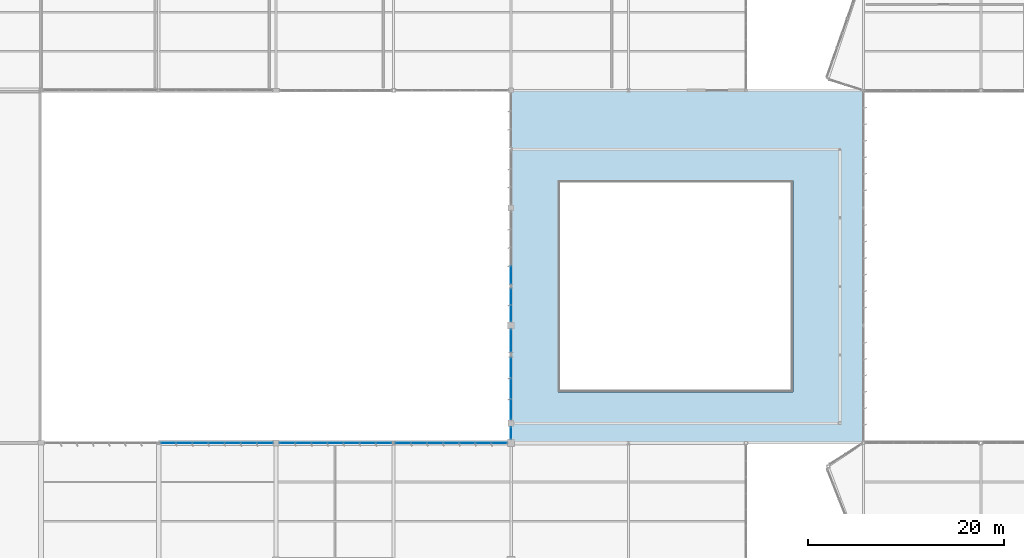
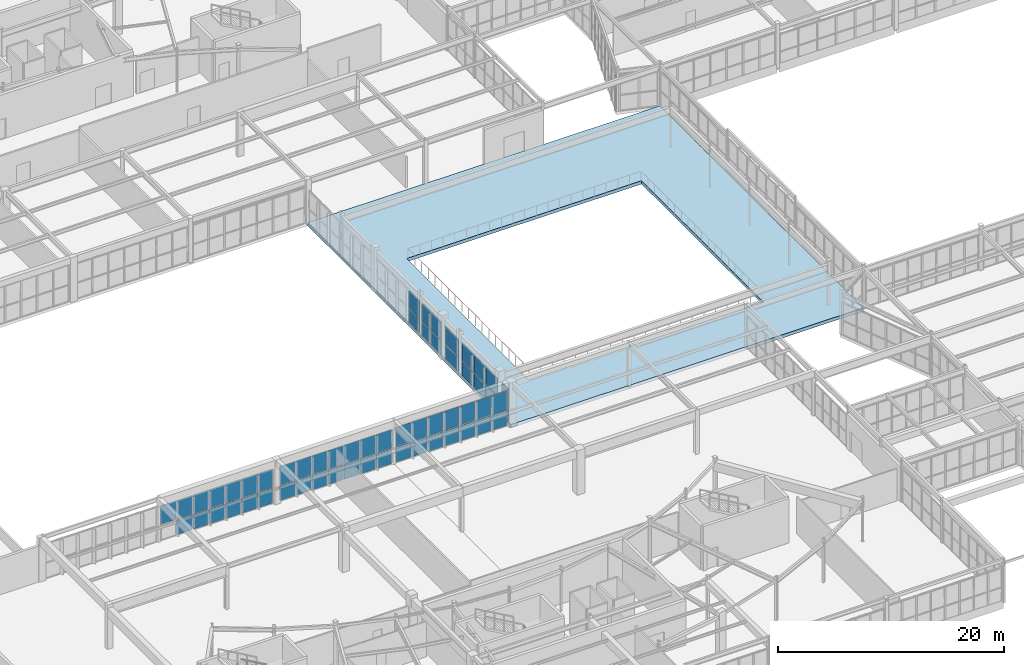
# One storey, part 115 of 186: 57 plates, 1 slab, 8 elements without a shape of their own.
"""IFC4 building model written with IfcOpenShell, lengths in metres."""

from ifc_helpers import new_model, si_unit, direction, frame, origin, origin_2d, place, context, subcontext, project, spatial, polyline, rectangle, outline, extrude, material, layer, layer_set, type_object, element, aggregate, save


model = new_model("IFC4")

# Units and contexts
model_context = context("Model", 3, precision=1e-05, world=origin(), true_north=direction((0.0, 1.0)))
body_context = subcontext(model_context, "Body", "Model", "MODEL_VIEW")
ifc_project = project(units=[si_unit("LENGTHUNIT", "METRE"), si_unit("AREAUNIT", "SQUARE_METRE"), si_unit("VOLUMEUNIT", "CUBIC_METRE"), si_unit("PLANEANGLEUNIT", "RADIAN"), si_unit("MASSUNIT", "GRAM", prefix="KILO")], contexts=[model_context])

# Site, building, storey
site_placement = place(None, origin())
site = spatial("IfcSite", under=ifc_project, at=site_placement, CompositionType="ELEMENT")
building_placement = place(site_placement, origin())
building = spatial("IfcBuilding", under=site, at=building_placement, Name="Tarnwether General Hospital", CompositionType="ELEMENT")
storey_placement = place(building_placement, frame((0.0, 0.0, 9.60009765625)))
storey = spatial("IfcBuildingStorey", under=building, at=storey_placement, Name="L02", CompositionType="ELEMENT", Elevation=9.60009765625)

# Curtain wall, plates
ifc_material_1 = material(Name="Anodised aluminium", Category="aluminium")
ifc_layer_1 = layer(ifc_material_1, 0.179931640625)
ifc_layer_set_1 = layer_set([ifc_layer_1], Name="Anodised aluminium")
curtain_wall_type_1 = type_object("IfcCurtainWallType", Name="CW-07", PredefinedType="NOTDEFINED", material=ifc_layer_set_1)
curtain_wall_1_placement = place(storey_placement, origin())
curtain_wall_1 = element("IfcCurtainWall", 1, at=curtain_wall_1_placement, inside=storey, type_object=curtain_wall_type_1, Name="Curtain Wall CWG-L02-1080_460-0419", PredefinedType="NOTDEFINED")
ifc_material_2 = material(Name="Double glazed low-E glass", Category="glass")
ifc_layer_2 = layer(ifc_material_2, 0.028076171875)
ifc_layer_set_2 = layer_set([ifc_layer_2], Name="Double glazed low-E glass")
plate_type = type_object("IfcPlateType", Name="PT-CWP1", PredefinedType="CURTAIN_PANEL", material=ifc_layer_set_2)
plate_1_placement = place(storey_placement, frame((108.0, 46.625, 0.06005859375), z_axis=(0.0, 0.0, 1.0), x_axis=(0.0, 1.0, 0.0)))
plate_1 = element("IfcPlate", 2, at=plate_1_placement, type_object=plate_type, Name="CW-07 panel 1.1", PredefinedType="CURTAIN_PANEL", context=body_context, shape_type="SweptSolid", body=[
    extrude(rectangle(XDim=1.1640625, YDim=0.028076171875, at=origin_2d()), origin(), (0.0, 0.0, 1.0), 1.53662109375),
])
plate_2_placement = place(storey_placement, frame((108.0, 46.625, 1.65673828125), z_axis=(0.0, 0.0, 1.0), x_axis=(0.0, 1.0, 0.0)))
plate_2 = element("IfcPlate", 3, at=plate_2_placement, type_object=plate_type, Name="CW-07 panel 1.2", PredefinedType="CURTAIN_PANEL", context=body_context, shape_type="SweptSolid", body=[
    extrude(rectangle(XDim=1.1640625, YDim=0.028076171875, at=origin_2d()), origin(), (0.0, 0.0, 1.0), 1.898193359375),
])
aggregate(curtain_wall_1, [plate_1, plate_2])

curtain_wall_2_placement = place(storey_placement, origin())
curtain_wall_2 = element("IfcCurtainWall", 4, at=curtain_wall_2_placement, inside=storey, type_object=curtain_wall_type_1, Name="Curtain Wall CWG-L02-1080_479-0420", PredefinedType="NOTDEFINED")
plate_3_placement = place(storey_placement, frame((108.0, 49.01611328125, 0.06005859375), z_axis=(0.0, 0.0, 1.0), x_axis=(0.0, 1.0, 0.0)))
plate_3 = element("IfcPlate", 5, at=plate_3_placement, type_object=plate_type, Name="CW-07 panel 1.1", PredefinedType="CURTAIN_PANEL", context=body_context, shape_type="SweptSolid", body=[
    extrude(rectangle(XDim=2.04638671875, YDim=0.028076171875, at=origin_2d()), origin(), (0.0, 0.0, 1.0), 1.53662109375),
])
plate_4_placement = place(storey_placement, frame((108.0, 49.01611328125, 1.65673828125), z_axis=(0.0, 0.0, 1.0), x_axis=(0.0, 1.0, 0.0)))
plate_4 = element("IfcPlate", 6, at=plate_4_placement, type_object=plate_type, Name="CW-07 panel 1.2", PredefinedType="CURTAIN_PANEL", context=body_context, shape_type="SweptSolid", body=[
    extrude(rectangle(XDim=2.04638671875, YDim=0.028076171875, at=origin_2d()), origin(), (0.0, 0.0, 1.0), 1.898193359375),
])
plate_5_placement = place(storey_placement, frame((108.0, 51.137451171875, 0.06005859375), z_axis=(0.0, 0.0, 1.0), x_axis=(0.0, 1.0, 0.0)))
plate_5 = element("IfcPlate", 7, at=plate_5_placement, type_object=plate_type, Name="CW-07 panel 2.1", PredefinedType="CURTAIN_PANEL", context=body_context, shape_type="SweptSolid", body=[
    extrude(rectangle(XDim=2.076416015625, YDim=0.028076171875, at=origin_2d()), origin(), (0.0, 0.0, 1.0), 1.53662109375),
])
plate_6_placement = place(storey_placement, frame((108.0, 51.137451171875, 1.65673828125), z_axis=(0.0, 0.0, 1.0), x_axis=(0.0, 1.0, 0.0)))
plate_6 = element("IfcPlate", 8, at=plate_6_placement, type_object=plate_type, Name="CW-07 panel 2.2", PredefinedType="CURTAIN_PANEL", context=body_context, shape_type="SweptSolid", body=[
    extrude(rectangle(XDim=2.076416015625, YDim=0.028076171875, at=origin_2d()), origin(), (0.0, 0.0, 1.0), 1.898193359375),
])
plate_7_placement = place(storey_placement, frame((108.0, 53.2587890625, 0.06005859375), z_axis=(0.0, 0.0, 1.0), x_axis=(0.0, 1.0, 0.0)))
plate_7 = element("IfcPlate", 9, at=plate_7_placement, type_object=plate_type, Name="CW-07 panel 3.1", PredefinedType="CURTAIN_PANEL", context=body_context, shape_type="SweptSolid", body=[
    extrude(rectangle(XDim=2.04638671875, YDim=0.028076171875, at=origin_2d()), origin(), (0.0, 0.0, 1.0), 1.53662109375),
])
plate_8_placement = place(storey_placement, frame((108.0, 53.2587890625, 1.65673828125), z_axis=(0.0, 0.0, 1.0), x_axis=(0.0, 1.0, 0.0)))
plate_8 = element("IfcPlate", 10, at=plate_8_placement, type_object=plate_type, Name="CW-07 panel 3.2", PredefinedType="CURTAIN_PANEL", context=body_context, shape_type="SweptSolid", body=[
    extrude(rectangle(XDim=2.04638671875, YDim=0.028076171875, at=origin_2d()), origin(), (0.0, 0.0, 1.0), 1.898193359375),
])
aggregate(curtain_wall_2, [plate_3, plate_4, plate_5, plate_6, plate_7, plate_8])

curtain_wall_3_placement = place(storey_placement, origin())
curtain_wall_3 = element("IfcCurtainWall", 11, at=curtain_wall_3_placement, inside=storey, type_object=curtain_wall_type_1, Name="Curtain Wall CWG-L02-1080_549-0421", PredefinedType="NOTDEFINED")
plate_9_placement = place(storey_placement, frame((108.0, 56.050048828125, 0.06005859375), z_axis=(0.0, 0.0, 1.0), x_axis=(0.0, 1.0, 0.0)))
plate_9 = element("IfcPlate", 12, at=plate_9_placement, type_object=plate_type, Name="CW-07 panel 1.1", PredefinedType="CURTAIN_PANEL", context=body_context, shape_type="SweptSolid", body=[
    extrude(rectangle(XDim=2.263916015625, YDim=0.028076171875, at=origin_2d()), origin(), (0.0, 0.0, 1.0), 1.53662109375),
])
plate_10_placement = place(storey_placement, frame((108.0, 56.050048828125, 1.65673828125), z_axis=(0.0, 0.0, 1.0), x_axis=(0.0, 1.0, 0.0)))
plate_10 = element("IfcPlate", 13, at=plate_10_placement, type_object=plate_type, Name="CW-07 panel 1.2", PredefinedType="CURTAIN_PANEL", context=body_context, shape_type="SweptSolid", body=[
    extrude(rectangle(XDim=2.263916015625, YDim=0.028076171875, at=origin_2d()), origin(), (0.0, 0.0, 1.0), 1.898193359375),
])
aggregate(curtain_wall_3, [plate_9, plate_10])

curtain_wall_4_placement = place(storey_placement, origin())
curtain_wall_4 = element("IfcCurtainWall", 14, at=curtain_wall_4_placement, inside=storey, type_object=curtain_wall_type_1, Name="Curtain Wall CWG-L02-1080_580-0422", PredefinedType="NOTDEFINED")
plate_11_placement = place(storey_placement, frame((108.0, 58.83154296875, 0.06005859375), z_axis=(0.0, 0.0, 1.0), x_axis=(0.0, 1.0, 0.0)))
plate_11 = element("IfcPlate", 15, at=plate_11_placement, type_object=plate_type, Name="CW-07 panel 1.1", PredefinedType="CURTAIN_PANEL", context=body_context, shape_type="SweptSolid", body=[
    extrude(rectangle(XDim=1.626953125, YDim=0.028076171875, at=origin_2d()), origin(), (0.0, 0.0, 1.0), 1.53662109375),
])
plate_12_placement = place(storey_placement, frame((108.0, 58.83154296875, 1.65673828125), z_axis=(0.0, 0.0, 1.0), x_axis=(0.0, 1.0, 0.0)))
plate_12 = element("IfcPlate", 16, at=plate_12_placement, type_object=plate_type, Name="CW-07 panel 1.2", PredefinedType="CURTAIN_PANEL", context=body_context, shape_type="SweptSolid", body=[
    extrude(rectangle(XDim=1.626953125, YDim=0.028076171875, at=origin_2d()), origin(), (0.0, 0.0, 1.0), 1.898193359375),
])
plate_13_placement = place(storey_placement, frame((108.0, 60.5185546875, 0.06005859375), z_axis=(0.0, 0.0, 1.0), x_axis=(0.0, 1.0, 0.0)))
plate_13 = element("IfcPlate", 17, at=plate_13_placement, type_object=plate_type, Name="CW-07 panel 2.1", PredefinedType="CURTAIN_PANEL", context=body_context, shape_type="SweptSolid", body=[
    extrude(rectangle(XDim=1.626953125, YDim=0.028076171875, at=origin_2d()), origin(), (0.0, 0.0, 1.0), 1.53662109375),
])
plate_14_placement = place(storey_placement, frame((108.0, 60.5185546875, 1.65673828125), z_axis=(0.0, 0.0, 1.0), x_axis=(0.0, 1.0, 0.0)))
plate_14 = element("IfcPlate", 18, at=plate_14_placement, type_object=plate_type, Name="CW-07 panel 2.2", PredefinedType="CURTAIN_PANEL", context=body_context, shape_type="SweptSolid", body=[
    extrude(rectangle(XDim=1.626953125, YDim=0.028076171875, at=origin_2d()), origin(), (0.0, 0.0, 1.0), 1.898193359375),
])
aggregate(curtain_wall_4, [plate_11, plate_12, plate_13, plate_14])

curtain_wall_5_placement = place(storey_placement, origin())
curtain_wall_5 = element("IfcCurtainWall", 19, at=curtain_wall_5_placement, inside=storey, type_object=curtain_wall_type_1, Name="Curtain Wall CWG-L02-1080_618-0423", PredefinedType="NOTDEFINED")
plate_15_placement = place(storey_placement, frame((108.0, 62.758544921875, 0.06005859375), z_axis=(0.0, 0.0, 1.0), x_axis=(0.0, 1.0, 0.0)))
plate_15 = element("IfcPlate", 20, at=plate_15_placement, type_object=plate_type, Name="CW-07 panel 1.1", PredefinedType="CURTAIN_PANEL", context=body_context, shape_type="SweptSolid", body=[
    extrude(rectangle(XDim=1.781005859375, YDim=0.028076171875, at=origin_2d()), origin(), (0.0, 0.0, 1.0), 1.53662109375),
])
plate_16_placement = place(storey_placement, frame((108.0, 62.758544921875, 1.65673828125), z_axis=(0.0, 0.0, 1.0), x_axis=(0.0, 1.0, 0.0)))
plate_16 = element("IfcPlate", 21, at=plate_16_placement, type_object=plate_type, Name="CW-07 panel 1.2", PredefinedType="CURTAIN_PANEL", context=body_context, shape_type="SweptSolid", body=[
    extrude(rectangle(XDim=1.781005859375, YDim=0.028076171875, at=origin_2d()), origin(), (0.0, 0.0, 1.0), 1.898193359375),
])
aggregate(curtain_wall_5, [plate_15, plate_16])

ifc_material_3 = material(Name="Anodised aluminium", Category="aluminium")
ifc_layer_3 = layer(ifc_material_3, 0.159912109375)
ifc_layer_set_3 = layer_set([ifc_layer_3], Name="Anodised aluminium")
curtain_wall_type_2 = type_object("IfcCurtainWallType", Name="CW-24", PredefinedType="NOTDEFINED", material=ifc_layer_set_3)
curtain_wall_6_placement = place(storey_placement, origin())
curtain_wall_6 = element("IfcCurtainWall", 22, at=curtain_wall_6_placement, inside=storey, type_object=curtain_wall_type_2, Name="Curtain Wall CWG-L02-1076_456-0430", PredefinedType="NOTDEFINED")
plate_17_placement = place(storey_placement, frame((106.78369140625, 45.60009765625, 0.06005859375), z_axis=(0.0, 0.0, 1.0), x_axis=(-1.0, 0.0, 0.0)))
plate_17 = element("IfcPlate", 23, at=plate_17_placement, type_object=plate_type, Name="CW-24 panel 1.1", PredefinedType="CURTAIN_PANEL", context=body_context, shape_type="SweptSolid", body=[
    extrude(rectangle(XDim=1.54638671875, YDim=0.028076171875, at=origin_2d()), origin(), (0.0, 0.0, 1.0), 1.658203125),
])
plate_18_placement = place(storey_placement, frame((106.78369140625, 45.60009765625, 1.7783203125), z_axis=(0.0, 0.0, 1.0), x_axis=(-1.0, 0.0, 0.0)))
plate_18 = element("IfcPlate", 24, at=plate_18_placement, type_object=plate_type, Name="CW-24 panel 1.2", PredefinedType="CURTAIN_PANEL", context=body_context, shape_type="SweptSolid", body=[
    extrude(rectangle(XDim=1.54638671875, YDim=0.028076171875, at=origin_2d()), origin(), (0.0, 0.0, 1.0), 2.046630859375),
])
plate_19_placement = place(storey_placement, frame((105.162353515625, 45.60009765625, 0.06005859375), z_axis=(0.0, 0.0, 1.0), x_axis=(-1.0, 0.0, 0.0)))
plate_19 = element("IfcPlate", 25, at=plate_19_placement, type_object=plate_type, Name="CW-24 panel 2.1", PredefinedType="CURTAIN_PANEL", context=body_context, shape_type="SweptSolid", body=[
    extrude(rectangle(XDim=1.576416015625, YDim=0.028076171875, at=origin_2d()), origin(), (0.0, 0.0, 1.0), 1.658203125),
])
plate_20_placement = place(storey_placement, frame((105.162353515625, 45.60009765625, 1.7783203125), z_axis=(0.0, 0.0, 1.0), x_axis=(-1.0, 0.0, 0.0)))
plate_20 = element("IfcPlate", 26, at=plate_20_placement, type_object=plate_type, Name="CW-24 panel 2.2", PredefinedType="CURTAIN_PANEL", context=body_context, shape_type="SweptSolid", body=[
    extrude(rectangle(XDim=1.576416015625, YDim=0.028076171875, at=origin_2d()), origin(), (0.0, 0.0, 1.0), 2.046630859375),
])
plate_21_placement = place(storey_placement, frame((103.52587890625, 45.60009765625, 0.06005859375), z_axis=(0.0, 0.0, 1.0), x_axis=(-1.0, 0.0, 0.0)))
plate_21 = element("IfcPlate", 27, at=plate_21_placement, type_object=plate_type, Name="CW-24 panel 3.1", PredefinedType="CURTAIN_PANEL", context=body_context, shape_type="SweptSolid", body=[
    extrude(rectangle(XDim=1.576416015625, YDim=0.028076171875, at=origin_2d()), origin(), (0.0, 0.0, 1.0), 1.658203125),
])
plate_22_placement = place(storey_placement, frame((103.52587890625, 45.60009765625, 1.7783203125), z_axis=(0.0, 0.0, 1.0), x_axis=(-1.0, 0.0, 0.0)))
plate_22 = element("IfcPlate", 28, at=plate_22_placement, type_object=plate_type, Name="CW-24 panel 3.2", PredefinedType="CURTAIN_PANEL", context=body_context, shape_type="SweptSolid", body=[
    extrude(rectangle(XDim=1.576416015625, YDim=0.028076171875, at=origin_2d()), origin(), (0.0, 0.0, 1.0), 2.046630859375),
])
plate_23_placement = place(storey_placement, frame((101.889404296875, 45.60009765625, 0.06005859375), z_axis=(0.0, 0.0, 1.0), x_axis=(-1.0, 0.0, 0.0)))
plate_23 = element("IfcPlate", 29, at=plate_23_placement, type_object=plate_type, Name="CW-24 panel 4.1", PredefinedType="CURTAIN_PANEL", context=body_context, shape_type="SweptSolid", body=[
    extrude(rectangle(XDim=1.576416015625, YDim=0.028076171875, at=origin_2d()), origin(), (0.0, 0.0, 1.0), 1.658203125),
])
plate_24_placement = place(storey_placement, frame((101.889404296875, 45.60009765625, 1.7783203125), z_axis=(0.0, 0.0, 1.0), x_axis=(-1.0, 0.0, 0.0)))
plate_24 = element("IfcPlate", 30, at=plate_24_placement, type_object=plate_type, Name="CW-24 panel 4.2", PredefinedType="CURTAIN_PANEL", context=body_context, shape_type="SweptSolid", body=[
    extrude(rectangle(XDim=1.576416015625, YDim=0.028076171875, at=origin_2d()), origin(), (0.0, 0.0, 1.0), 2.046630859375),
])
plate_25_placement = place(storey_placement, frame((100.253173828125, 45.60009765625, 0.06005859375), z_axis=(0.0, 0.0, 1.0), x_axis=(-1.0, 0.0, 0.0)))
plate_25 = element("IfcPlate", 31, at=plate_25_placement, type_object=plate_type, Name="CW-24 panel 5.1", PredefinedType="CURTAIN_PANEL", context=body_context, shape_type="SweptSolid", body=[
    extrude(rectangle(XDim=1.576416015625, YDim=0.028076171875, at=origin_2d()), origin(), (0.0, 0.0, 1.0), 1.658203125),
])
plate_26_placement = place(storey_placement, frame((100.253173828125, 45.60009765625, 1.7783203125), z_axis=(0.0, 0.0, 1.0), x_axis=(-1.0, 0.0, 0.0)))
plate_26 = element("IfcPlate", 32, at=plate_26_placement, type_object=plate_type, Name="CW-24 panel 5.2", PredefinedType="CURTAIN_PANEL", context=body_context, shape_type="SweptSolid", body=[
    extrude(rectangle(XDim=1.576416015625, YDim=0.028076171875, at=origin_2d()), origin(), (0.0, 0.0, 1.0), 2.046630859375),
])
plate_27_placement = place(storey_placement, frame((98.61669921875, 45.60009765625, 0.06005859375), z_axis=(0.0, 0.0, 1.0), x_axis=(-1.0, 0.0, 0.0)))
plate_27 = element("IfcPlate", 33, at=plate_27_placement, type_object=plate_type, Name="CW-24 panel 6.1", PredefinedType="CURTAIN_PANEL", context=body_context, shape_type="SweptSolid", body=[
    extrude(rectangle(XDim=1.576416015625, YDim=0.028076171875, at=origin_2d()), origin(), (0.0, 0.0, 1.0), 1.658203125),
])
plate_28_placement = place(storey_placement, frame((98.61669921875, 45.60009765625, 1.7783203125), z_axis=(0.0, 0.0, 1.0), x_axis=(-1.0, 0.0, 0.0)))
plate_28 = element("IfcPlate", 34, at=plate_28_placement, type_object=plate_type, Name="CW-24 panel 6.2", PredefinedType="CURTAIN_PANEL", context=body_context, shape_type="SweptSolid", body=[
    extrude(rectangle(XDim=1.576416015625, YDim=0.028076171875, at=origin_2d()), origin(), (0.0, 0.0, 1.0), 2.046630859375),
])
plate_29_placement = place(storey_placement, frame((96.9951171875, 45.60009765625, 0.06005859375), z_axis=(0.0, 0.0, 1.0), x_axis=(-1.0, 0.0, 0.0)))
plate_29 = element("IfcPlate", 35, at=plate_29_placement, type_object=plate_type, Name="CW-24 panel 7.1", PredefinedType="CURTAIN_PANEL", context=body_context, shape_type="SweptSolid", body=[
    extrude(rectangle(XDim=1.54638671875, YDim=0.028076171875, at=origin_2d()), origin(), (0.0, 0.0, 1.0), 1.658203125),
])
plate_30_placement = place(storey_placement, frame((96.9951171875, 45.60009765625, 1.7783203125), z_axis=(0.0, 0.0, 1.0), x_axis=(-1.0, 0.0, 0.0)))
plate_30 = element("IfcPlate", 36, at=plate_30_placement, type_object=plate_type, Name="CW-24 panel 7.2", PredefinedType="CURTAIN_PANEL", context=body_context, shape_type="SweptSolid", body=[
    extrude(rectangle(XDim=1.54638671875, YDim=0.028076171875, at=origin_2d()), origin(), (0.0, 0.0, 1.0), 2.046630859375),
])
aggregate(curtain_wall_6, [plate_17, plate_18, plate_19, plate_20, plate_21, plate_22, plate_23, plate_24, plate_25, plate_26, plate_27, plate_28, plate_29, plate_30])

curtain_wall_7_placement = place(storey_placement, origin())
curtain_wall_7 = element("IfcCurtainWall", 37, at=curtain_wall_7_placement, inside=storey, type_object=curtain_wall_type_2, Name="Curtain Wall CWG-L02-958_456-0431", PredefinedType="NOTDEFINED")
plate_31_placement = place(storey_placement, frame((94.99951171875, 45.60009765625, 0.059814453125), z_axis=(0.0, 0.0, 1.0), x_axis=(-1.0, 0.0, 0.0)))
plate_31 = element("IfcPlate", 38, at=plate_31_placement, type_object=plate_type, Name="CW-24 panel 1.1", PredefinedType="CURTAIN_PANEL", context=body_context, shape_type="SweptSolid", body=[
    extrude(rectangle(XDim=1.55712890625, YDim=0.028076171875, at=origin_2d()), origin(), (0.0, 0.0, 1.0), 1.6357421875),
])
plate_32_placement = place(storey_placement, frame((94.99951171875, 45.60009765625, 1.75537109375), z_axis=(0.0, 0.0, 1.0), x_axis=(-1.0, 0.0, 0.0)))
plate_32 = element("IfcPlate", 39, at=plate_32_placement, type_object=plate_type, Name="CW-24 panel 1.2", PredefinedType="CURTAIN_PANEL", context=body_context, shape_type="SweptSolid", body=[
    extrude(rectangle(XDim=1.55712890625, YDim=0.028076171875, at=origin_2d()), origin(), (0.0, 0.0, 1.0), 2.019287109375),
])
plate_33_placement = place(storey_placement, frame((93.3671875, 45.60009765625, 0.059814453125), z_axis=(0.0, 0.0, 1.0), x_axis=(-1.0, 0.0, 0.0)))
plate_33 = element("IfcPlate", 40, at=plate_33_placement, type_object=plate_type, Name="CW-24 panel 2.1", PredefinedType="CURTAIN_PANEL", context=body_context, shape_type="SweptSolid", body=[
    extrude(rectangle(XDim=1.587158203125, YDim=0.028076171875, at=origin_2d()), origin(), (0.0, 0.0, 1.0), 1.6357421875),
])
plate_34_placement = place(storey_placement, frame((93.3671875, 45.60009765625, 1.75537109375), z_axis=(0.0, 0.0, 1.0), x_axis=(-1.0, 0.0, 0.0)))
plate_34 = element("IfcPlate", 41, at=plate_34_placement, type_object=plate_type, Name="CW-24 panel 2.2", PredefinedType="CURTAIN_PANEL", context=body_context, shape_type="SweptSolid", body=[
    extrude(rectangle(XDim=1.587158203125, YDim=0.028076171875, at=origin_2d()), origin(), (0.0, 0.0, 1.0), 2.019287109375),
])
plate_35_placement = place(storey_placement, frame((91.72021484375, 45.60009765625, 0.059814453125), z_axis=(0.0, 0.0, 1.0), x_axis=(-1.0, 0.0, 0.0)))
plate_35 = element("IfcPlate", 42, at=plate_35_placement, type_object=plate_type, Name="CW-24 panel 3.1", PredefinedType="CURTAIN_PANEL", context=body_context, shape_type="SweptSolid", body=[
    extrude(rectangle(XDim=1.587158203125, YDim=0.028076171875, at=origin_2d()), origin(), (0.0, 0.0, 1.0), 1.6357421875),
])
plate_36_placement = place(storey_placement, frame((91.72021484375, 45.60009765625, 1.75537109375), z_axis=(0.0, 0.0, 1.0), x_axis=(-1.0, 0.0, 0.0)))
plate_36 = element("IfcPlate", 43, at=plate_36_placement, type_object=plate_type, Name="CW-24 panel 3.2", PredefinedType="CURTAIN_PANEL", context=body_context, shape_type="SweptSolid", body=[
    extrude(rectangle(XDim=1.587158203125, YDim=0.028076171875, at=origin_2d()), origin(), (0.0, 0.0, 1.0), 2.019287109375),
])
plate_37_placement = place(storey_placement, frame((90.072998046875, 45.60009765625, 0.059814453125), z_axis=(0.0, 0.0, 1.0), x_axis=(-1.0, 0.0, 0.0)))
plate_37 = element("IfcPlate", 44, at=plate_37_placement, type_object=plate_type, Name="CW-24 panel 4.1", PredefinedType="CURTAIN_PANEL", context=body_context, shape_type="SweptSolid", body=[
    extrude(rectangle(XDim=1.587158203125, YDim=0.028076171875, at=origin_2d()), origin(), (0.0, 0.0, 1.0), 1.6357421875),
])
plate_38_placement = place(storey_placement, frame((90.072998046875, 45.60009765625, 1.75537109375), z_axis=(0.0, 0.0, 1.0), x_axis=(-1.0, 0.0, 0.0)))
plate_38 = element("IfcPlate", 45, at=plate_38_placement, type_object=plate_type, Name="CW-24 panel 4.2", PredefinedType="CURTAIN_PANEL", context=body_context, shape_type="SweptSolid", body=[
    extrude(rectangle(XDim=1.587158203125, YDim=0.028076171875, at=origin_2d()), origin(), (0.0, 0.0, 1.0), 2.019287109375),
])
plate_39_placement = place(storey_placement, frame((88.42578125, 45.60009765625, 0.059814453125), z_axis=(0.0, 0.0, 1.0), x_axis=(-1.0, 0.0, 0.0)))
plate_39 = element("IfcPlate", 46, at=plate_39_placement, type_object=plate_type, Name="CW-24 panel 5.1", PredefinedType="CURTAIN_PANEL", context=body_context, shape_type="SweptSolid", body=[
    extrude(rectangle(XDim=1.587158203125, YDim=0.028076171875, at=origin_2d()), origin(), (0.0, 0.0, 1.0), 1.6357421875),
])
plate_40_placement = place(storey_placement, frame((88.42578125, 45.60009765625, 1.75537109375), z_axis=(0.0, 0.0, 1.0), x_axis=(-1.0, 0.0, 0.0)))
plate_40 = element("IfcPlate", 47, at=plate_40_placement, type_object=plate_type, Name="CW-24 panel 5.2", PredefinedType="CURTAIN_PANEL", context=body_context, shape_type="SweptSolid", body=[
    extrude(rectangle(XDim=1.587158203125, YDim=0.028076171875, at=origin_2d()), origin(), (0.0, 0.0, 1.0), 2.019287109375),
])
plate_41_placement = place(storey_placement, frame((86.77880859375, 45.60009765625, 0.059814453125), z_axis=(0.0, 0.0, 1.0), x_axis=(-1.0, 0.0, 0.0)))
plate_41 = element("IfcPlate", 48, at=plate_41_placement, type_object=plate_type, Name="CW-24 panel 6.1", PredefinedType="CURTAIN_PANEL", context=body_context, shape_type="SweptSolid", body=[
    extrude(rectangle(XDim=1.587158203125, YDim=0.028076171875, at=origin_2d()), origin(), (0.0, 0.0, 1.0), 1.6357421875),
])
plate_42_placement = place(storey_placement, frame((86.77880859375, 45.60009765625, 1.75537109375), z_axis=(0.0, 0.0, 1.0), x_axis=(-1.0, 0.0, 0.0)))
plate_42 = element("IfcPlate", 49, at=plate_42_placement, type_object=plate_type, Name="CW-24 panel 6.2", PredefinedType="CURTAIN_PANEL", context=body_context, shape_type="SweptSolid", body=[
    extrude(rectangle(XDim=1.587158203125, YDim=0.028076171875, at=origin_2d()), origin(), (0.0, 0.0, 1.0), 2.019287109375),
])
plate_43_placement = place(storey_placement, frame((85.146484375, 45.60009765625, 0.059814453125), z_axis=(0.0, 0.0, 1.0), x_axis=(-1.0, 0.0, 0.0)))
plate_43 = element("IfcPlate", 50, at=plate_43_placement, type_object=plate_type, Name="CW-24 panel 7.1", PredefinedType="CURTAIN_PANEL", context=body_context, shape_type="SweptSolid", body=[
    extrude(rectangle(XDim=1.55712890625, YDim=0.028076171875, at=origin_2d()), origin(), (0.0, 0.0, 1.0), 1.6357421875),
])
plate_44_placement = place(storey_placement, frame((85.146484375, 45.60009765625, 1.75537109375), z_axis=(0.0, 0.0, 1.0), x_axis=(-1.0, 0.0, 0.0)))
plate_44 = element("IfcPlate", 51, at=plate_44_placement, type_object=plate_type, Name="CW-24 panel 7.2", PredefinedType="CURTAIN_PANEL", context=body_context, shape_type="SweptSolid", body=[
    extrude(rectangle(XDim=1.55712890625, YDim=0.028076171875, at=origin_2d()), origin(), (0.0, 0.0, 1.0), 2.019287109375),
])
aggregate(curtain_wall_7, [plate_31, plate_32, plate_33, plate_34, plate_35, plate_36, plate_37, plate_38, plate_39, plate_40, plate_41, plate_42, plate_43, plate_44])

curtain_wall_8_placement = place(storey_placement, origin())
curtain_wall_8 = element("IfcCurtainWall", 52, at=curtain_wall_8_placement, inside=storey, type_object=curtain_wall_type_2, Name="Curtain Wall CWG-L02-837_456-0432", PredefinedType="NOTDEFINED")
plate_45_placement = place(storey_placement, frame((82.8515625, 45.60009765625, 0.059814453125), z_axis=(0.0, 0.0, 1.0), x_axis=(-1.0, 0.0, 0.0)))
plate_45 = element("IfcPlate", 53, at=plate_45_placement, type_object=plate_type, Name="CW-24 panel 1.1", PredefinedType="CURTAIN_PANEL", context=body_context, shape_type="SweptSolid", body=[
    extrude(rectangle(XDim=1.560791015625, YDim=0.028076171875, at=origin_2d()), origin(), (0.0, 0.0, 1.0), 1.6357421875),
])
plate_46_placement = place(storey_placement, frame((82.8515625, 45.60009765625, 1.75537109375), z_axis=(0.0, 0.0, 1.0), x_axis=(-1.0, 0.0, 0.0)))
plate_46 = element("IfcPlate", 54, at=plate_46_placement, type_object=plate_type, Name="CW-24 panel 1.2", PredefinedType="CURTAIN_PANEL", context=body_context, shape_type="SweptSolid", body=[
    extrude(rectangle(XDim=1.560791015625, YDim=0.028076171875, at=origin_2d()), origin(), (0.0, 0.0, 1.0), 2.019287109375),
])
plate_47_placement = place(storey_placement, frame((81.2158203125, 45.60009765625, 0.059814453125), z_axis=(0.0, 0.0, 1.0), x_axis=(-1.0, 0.0, 0.0)))
plate_47 = element("IfcPlate", 55, at=plate_47_placement, type_object=plate_type, Name="CW-24 panel 2.1", PredefinedType="CURTAIN_PANEL", context=body_context, shape_type="SweptSolid", body=[
    extrude(rectangle(XDim=1.5908203125, YDim=0.028076171875, at=origin_2d()), origin(), (0.0, 0.0, 1.0), 1.6357421875),
])
plate_48_placement = place(storey_placement, frame((81.2158203125, 45.60009765625, 1.75537109375), z_axis=(0.0, 0.0, 1.0), x_axis=(-1.0, 0.0, 0.0)))
plate_48 = element("IfcPlate", 56, at=plate_48_placement, type_object=plate_type, Name="CW-24 panel 2.2", PredefinedType="CURTAIN_PANEL", context=body_context, shape_type="SweptSolid", body=[
    extrude(rectangle(XDim=1.5908203125, YDim=0.028076171875, at=origin_2d()), origin(), (0.0, 0.0, 1.0), 2.019287109375),
])
plate_49_placement = place(storey_placement, frame((79.56494140625, 45.60009765625, 0.059814453125), z_axis=(0.0, 0.0, 1.0), x_axis=(-1.0, 0.0, 0.0)))
plate_49 = element("IfcPlate", 57, at=plate_49_placement, type_object=plate_type, Name="CW-24 panel 3.1", PredefinedType="CURTAIN_PANEL", context=body_context, shape_type="SweptSolid", body=[
    extrude(rectangle(XDim=1.5908203125, YDim=0.028076171875, at=origin_2d()), origin(), (0.0, 0.0, 1.0), 1.6357421875),
])
plate_50_placement = place(storey_placement, frame((79.56494140625, 45.60009765625, 1.75537109375), z_axis=(0.0, 0.0, 1.0), x_axis=(-1.0, 0.0, 0.0)))
plate_50 = element("IfcPlate", 58, at=plate_50_placement, type_object=plate_type, Name="CW-24 panel 3.2", PredefinedType="CURTAIN_PANEL", context=body_context, shape_type="SweptSolid", body=[
    extrude(rectangle(XDim=1.5908203125, YDim=0.028076171875, at=origin_2d()), origin(), (0.0, 0.0, 1.0), 2.019287109375),
])
plate_51_placement = place(storey_placement, frame((77.9140625, 45.60009765625, 0.059814453125), z_axis=(0.0, 0.0, 1.0), x_axis=(-1.0, 0.0, 0.0)))
plate_51 = element("IfcPlate", 59, at=plate_51_placement, type_object=plate_type, Name="CW-24 panel 4.1", PredefinedType="CURTAIN_PANEL", context=body_context, shape_type="SweptSolid", body=[
    extrude(rectangle(XDim=1.5908203125, YDim=0.028076171875, at=origin_2d()), origin(), (0.0, 0.0, 1.0), 1.6357421875),
])
plate_52_placement = place(storey_placement, frame((77.9140625, 45.60009765625, 1.75537109375), z_axis=(0.0, 0.0, 1.0), x_axis=(-1.0, 0.0, 0.0)))
plate_52 = element("IfcPlate", 60, at=plate_52_placement, type_object=plate_type, Name="CW-24 panel 4.2", PredefinedType="CURTAIN_PANEL", context=body_context, shape_type="SweptSolid", body=[
    extrude(rectangle(XDim=1.5908203125, YDim=0.028076171875, at=origin_2d()), origin(), (0.0, 0.0, 1.0), 2.019287109375),
])
plate_53_placement = place(storey_placement, frame((76.26318359375, 45.60009765625, 0.059814453125), z_axis=(0.0, 0.0, 1.0), x_axis=(-1.0, 0.0, 0.0)))
plate_53 = element("IfcPlate", 61, at=plate_53_placement, type_object=plate_type, Name="CW-24 panel 5.1", PredefinedType="CURTAIN_PANEL", context=body_context, shape_type="SweptSolid", body=[
    extrude(rectangle(XDim=1.5908203125, YDim=0.028076171875, at=origin_2d()), origin(), (0.0, 0.0, 1.0), 1.6357421875),
])
plate_54_placement = place(storey_placement, frame((76.26318359375, 45.60009765625, 1.75537109375), z_axis=(0.0, 0.0, 1.0), x_axis=(-1.0, 0.0, 0.0)))
plate_54 = element("IfcPlate", 62, at=plate_54_placement, type_object=plate_type, Name="CW-24 panel 5.2", PredefinedType="CURTAIN_PANEL", context=body_context, shape_type="SweptSolid", body=[
    extrude(rectangle(XDim=1.5908203125, YDim=0.028076171875, at=origin_2d()), origin(), (0.0, 0.0, 1.0), 2.019287109375),
])
plate_55_placement = place(storey_placement, frame((74.6123046875, 45.60009765625, 0.059814453125), z_axis=(0.0, 0.0, 1.0), x_axis=(-1.0, 0.0, 0.0)))
plate_55 = element("IfcPlate", 63, at=plate_55_placement, type_object=plate_type, Name="CW-24 panel 6.1", PredefinedType="CURTAIN_PANEL", context=body_context, shape_type="SweptSolid", body=[
    extrude(rectangle(XDim=1.5908203125, YDim=0.028076171875, at=origin_2d()), origin(), (0.0, 0.0, 1.0), 1.6357421875),
])
plate_56_placement = place(storey_placement, frame((74.6123046875, 45.60009765625, 1.75537109375), z_axis=(0.0, 0.0, 1.0), x_axis=(-1.0, 0.0, 0.0)))
plate_56 = element("IfcPlate", 64, at=plate_56_placement, type_object=plate_type, Name="CW-24 panel 6.2", PredefinedType="CURTAIN_PANEL", context=body_context, shape_type="SweptSolid", body=[
    extrude(rectangle(XDim=1.5908203125, YDim=0.028076171875, at=origin_2d()), origin(), (0.0, 0.0, 1.0), 2.019287109375),
])
plate_57_placement = place(storey_placement, frame((72.976318359375, 45.60009765625, 1.75537109375), z_axis=(0.0, 0.0, 1.0), x_axis=(-1.0, 0.0, 0.0)))
plate_57 = element("IfcPlate", 65, at=plate_57_placement, type_object=plate_type, Name="CW-24 panel 7.2", PredefinedType="CURTAIN_PANEL", context=body_context, shape_type="SweptSolid", body=[
    extrude(rectangle(XDim=1.560791015625, YDim=0.028076171875, at=origin_2d()), origin(), (0.0, 0.0, 1.0), 2.019287109375),
])
aggregate(curtain_wall_8, [plate_45, plate_46, plate_47, plate_48, plate_49, plate_50, plate_51, plate_52, plate_53, plate_54, plate_55, plate_56, plate_57])

# Slab
ifc_material_4 = material(Name="Concrete 40 MPa", Category="concrete")
ifc_layer_4 = layer(ifc_material_4, 0.35498046875)
ifc_layer_set_4 = layer_set([ifc_layer_4], Name="Concrete 40 MPa")
slab_type = type_object("IfcSlabType", Name="SL-FL220", PredefinedType="FLOOR", material=ifc_layer_set_4)
slab_placement = place(storey_placement, frame((0.0, 0.0, -0.35498046875)))
element("IfcSlab", 66, at=slab_placement, inside=storey, type_object=slab_type, Name="L02 Main Hall Upper Gallery Floor SL-L02-V1G", PredefinedType="FLOOR", context=body_context, shape_type="SweptSolid", body=[
    extrude(outline(polyline([(108.0, 45.60009765625), (108.0, 81.60009765625), (144.0, 81.60009765625), (144.0, 45.60009765625), (108.0, 45.60009765625)]), holes=[polyline([(136.800048828125, 72.39990234375), (112.800048828125, 72.39990234375), (112.800048828125, 50.800048828125), (136.800048828125, 50.800048828125), (136.800048828125, 72.39990234375)])]), origin(), (0.0, 0.0, 1.0), 0.35498046875),
])

save(model, "model.ifc")
